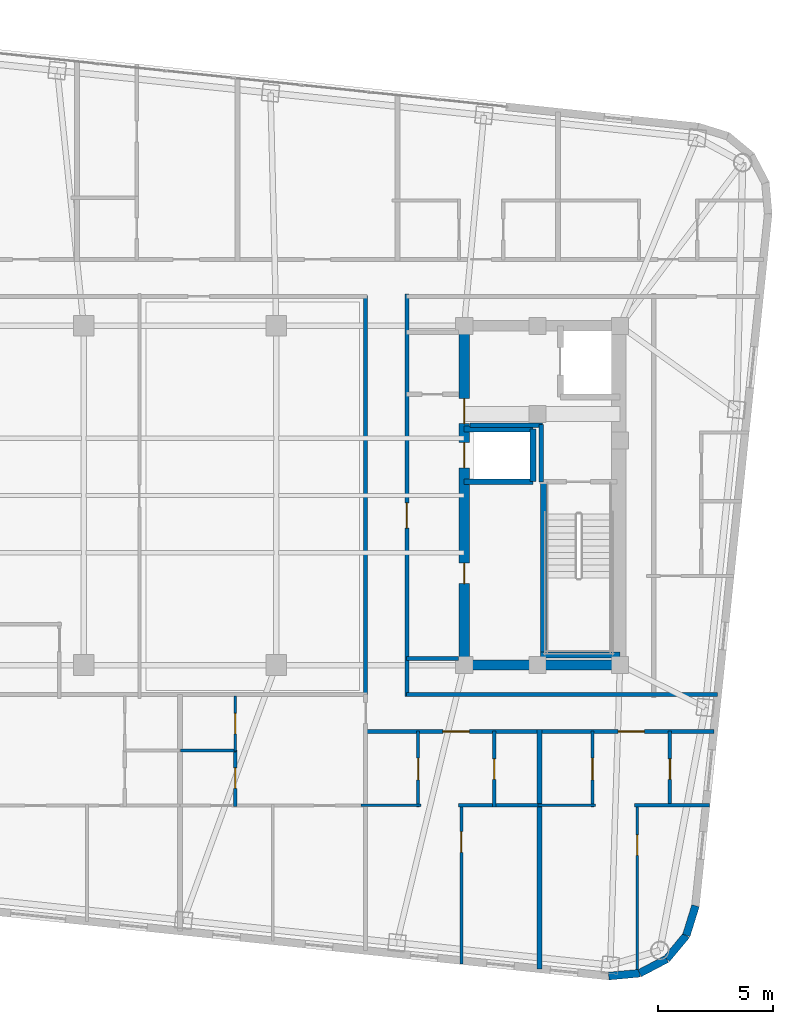
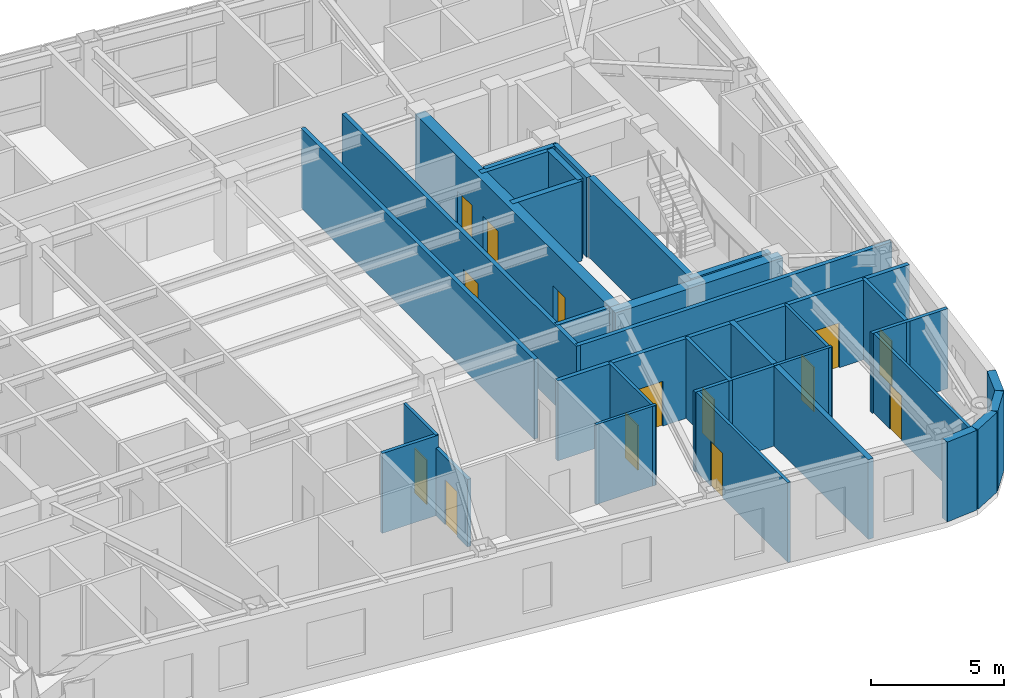
# One storey, part 11 of 16: 32 walls, 14 doors, 14 openings.
"""IFC4 building model written with IfcOpenShell, lengths in metres."""

from ifc_helpers import new_model, si_unit, direction, frame, frame_2d, origin, place, context, subcontext, project, spatial, rectangle, extrude, material, layer, layer_set, type_object, element, fill, save


model = new_model("IFC4")

# Units and contexts
model_context = context("Model", 3, precision=1e-05, world=origin(), true_north=direction((0.0, 1.0)))
body_context = subcontext(model_context, "Body", "Model", "MODEL_VIEW")
ifc_project = project(units=[si_unit("LENGTHUNIT", "METRE"), si_unit("AREAUNIT", "SQUARE_METRE"), si_unit("VOLUMEUNIT", "CUBIC_METRE"), si_unit("PLANEANGLEUNIT", "RADIAN"), si_unit("MASSUNIT", "GRAM", prefix="KILO")], contexts=[model_context])

# Site, building, storey
site_placement = place(None, origin())
site = spatial("IfcSite", under=ifc_project, at=site_placement, CompositionType="ELEMENT")
building_placement = place(site_placement, origin())
building = spatial("IfcBuilding", under=site, at=building_placement, Name="Voryun Gate Residences", CompositionType="ELEMENT")
storey_placement = place(building_placement, frame((0.0, 0.0, 267.800048828125)))
storey = spatial("IfcBuildingStorey", under=building, at=storey_placement, Name="L66", CompositionType="ELEMENT", Elevation=267.800048828125)

# Wall
ifc_material_1 = material(Name="Concrete C50/60", Category="concrete")
ifc_layer_1 = layer(ifc_material_1, 0.449951171875, Name="CW_CORE_450")
ifc_layer_set_1 = layer_set([ifc_layer_1], Name="Concrete C50/60")
wall_type_1 = type_object("IfcWallType", Name="CW_CORE_450", PredefinedType="SHEAR", material=ifc_layer_set_1)
wall_1_placement = place(storey_placement, frame((12.175048828125, -7.39990234375, 0.0), z_axis=(0.0, 0.0, 1.0), x_axis=(1.0, 0.0, 0.0)))
element("IfcWall", 1, at=wall_1_placement, inside=storey, type_object=wall_type_1, Name="L66 Core shear wall CW-L66-ES", PredefinedType="SHEAR", context=body_context, shape_type="SweptSolid", body=[
    extrude(rectangle(XDim=7.25, YDim=0.449951171875, at=frame_2d((3.625, 0.0))), origin(), (0.0, 0.0, 1.0), 3.64990234375),
])

# Wall, openings, doors
wall_2_placement = place(storey_placement, frame((12.39990234375, -7.39990234375, 0.0), z_axis=(0.0, 0.0, 1.0), x_axis=(0.0, 1.0, 0.0)))
wall_2 = element("IfcWall", 2, at=wall_2_placement, inside=storey, type_object=wall_type_1, Name="L66 Core shear wall CW-L66-EW", PredefinedType="SHEAR", context=body_context, shape_type="SweptSolid", body=[
    extrude(rectangle(XDim=14.7998046875, YDim=0.449951171875, at=frame_2d((7.39990234375, 0.0))), origin(), (0.0, 0.0, 1.0), 3.64990234375),
])
opening_1_placement = place(wall_2_placement, frame((8.60009765625, 0.0, 0.0)))
opening_1 = element("IfcOpeningElement", 3, at=opening_1_placement, cuts=wall_2, Name="Opening LD2", PredefinedType="OPENING", context=body_context, shape_type="SweptSolid", body=[
    extrude(rectangle(XDim=1.10009765625, YDim=2.050048828125, at=frame_2d((0.550048828125, 1.02490234375))), frame((0.0, 0.235107421875, 0.0), z_axis=(0.0, -1.0, 0.0), x_axis=(1.0, 0.0, 0.0)), (0.0, 0.0, 1.0), 0.469970703125),
])
opening_2_placement = place(wall_2_placement, frame((10.530029296875, 0.0, 0.0)))
opening_2 = element("IfcOpeningElement", 4, at=opening_2_placement, cuts=wall_2, Name="Opening D-FD60-2", PredefinedType="OPENING", context=body_context, shape_type="SweptSolid", body=[
    extrude(rectangle(XDim=1.10009765625, YDim=2.050048828125, at=frame_2d((0.550048828125, 1.02490234375))), frame((0.0, 0.235107421875, 0.0), z_axis=(0.0, -1.0, 0.0), x_axis=(1.0, 0.0, 0.0)), (0.0, 0.0, 1.0), 0.469970703125),
])
opening_3_placement = place(wall_2_placement, frame((3.550048828125, 0.0, 0.0)))
opening_3 = element("IfcOpeningElement", 5, at=opening_3_placement, cuts=wall_2, Name="Opening D-FD60-4", PredefinedType="OPENING", context=body_context, shape_type="SweptSolid", body=[
    extrude(rectangle(XDim=0.89990234375, YDim=2.050048828125, at=frame_2d((0.449951171875, 1.02490234375))), frame((0.0, 0.235107421875, 0.0), z_axis=(0.0, -1.0, 0.0), x_axis=(1.0, 0.0, 0.0)), (0.0, 0.0, 1.0), 0.469970703125),
])
ifc_material_2 = material(Name="Painted steel fire door", Category="steel")
door_type_1 = type_object("IfcDoorType", Name="DR_FD60_FFLOB_1100", OperationType="NOTDEFINED", PredefinedType="DOOR", material=ifc_material_2)
door_1_placement = place(opening_2_placement, origin())
door_1 = element("IfcDoor", 6, at=door_1_placement, inside=storey, type_object=door_type_1, Name="Door DR-L66-CLOB-E", OperationType="SINGLE_SWING_RIGHT", OverallHeight=2.050048828125, OverallWidth=1.10009765625, PredefinedType="DOOR", context=body_context, shape_type="SweptSolid", body=[
    extrude(rectangle(XDim=1.10009765625, YDim=2.050048828125, at=frame_2d((0.550048828125, 1.02490234375))), frame((0.0, 0.02490234375, 0.0), z_axis=(0.0, -1.0, 0.0), x_axis=(1.0, 0.0, 0.0)), (0.0, 0.0, 1.0), 0.050048828125),
])
fill(opening_2, door_1)
ifc_material_3 = material(Name="Painted steel fire door", Category="steel")
door_type_2 = type_object("IfcDoorType", Name="DR_FD60_RISER_900", OperationType="NOTDEFINED", PredefinedType="DOOR", material=ifc_material_3)
door_2_placement = place(opening_3_placement, origin())
door_2 = element("IfcDoor", 7, at=door_2_placement, inside=storey, type_object=door_type_2, Name="Door DR-L66-RECE-HI", OperationType="SINGLE_SWING_RIGHT", OverallHeight=2.050048828125, OverallWidth=0.89990234375, PredefinedType="DOOR", context=body_context, shape_type="SweptSolid", body=[
    extrude(rectangle(XDim=0.89990234375, YDim=2.050048828125, at=frame_2d((0.449951171875, 1.02490234375))), frame((0.0, 0.02490234375, 0.0), z_axis=(0.0, -1.0, 0.0), x_axis=(1.0, 0.0, 0.0)), (0.0, 0.0, 1.0), 0.050048828125),
])
fill(opening_3, door_2)
ifc_material_4 = material(Name="Anodised aluminium", Category="aluminium")
door_type_3 = type_object("IfcDoorType", Name="DR_LD_PASS_1100", OperationType="NOTDEFINED", PredefinedType="DOOR", material=ifc_material_4)
door_3_placement = place(opening_1_placement, origin())
door_3 = element("IfcDoor", 8, at=door_3_placement, inside=storey, type_object=door_type_3, Name="Lift EL-P8 sliding landing door L66", OperationType="SLIDING_TO_LEFT", OverallHeight=2.050048828125, OverallWidth=1.10009765625, PredefinedType="DOOR", context=body_context, shape_type="SweptSolid", body=[
    extrude(rectangle(XDim=1.10009765625, YDim=2.050048828125, at=frame_2d((0.550048828125, 1.02490234375))), frame((0.0, 0.02490234375, 0.0), z_axis=(0.0, -1.0, 0.0), x_axis=(1.0, 0.0, 0.0)), (0.0, 0.0, 1.0), 0.050048828125),
])
fill(opening_1, door_3)

# Wall
ifc_material_5 = material(Name="Gypsum acoustic fireboard")
ifc_layer_2 = layer(ifc_material_5, 0.179931640625, Name="W_CORR_RATED_180")
ifc_layer_set_2 = layer_set([ifc_layer_2], Name="Gypsum acoustic fireboard")
wall_type_2 = type_object("IfcWallType", Name="W_CORR_RATED_180", PredefinedType="PARTITIONING", material=ifc_layer_set_2)
wall_3_placement = place(storey_placement, frame((9.8798828125, -7.1201171875, 0.0), z_axis=(0.0, 0.0, 1.0), x_axis=(1.0, 0.0, 0.0)))
element("IfcWall", 9, at=wall_3_placement, inside=storey, type_object=wall_type_2, Name="Partition wall WP-L66-PLBS-E", PredefinedType="PARTITIONING", context=body_context, shape_type="SweptSolid", body=[
    extrude(rectangle(XDim=2.27001953125, YDim=0.179931640625, at=frame_2d((1.135009765625, 0.0))), origin(), (0.0, 0.0, 1.0), 3.64990234375),
])

# Wall, opening, door
wall_4_placement = place(storey_placement, frame((9.89990234375, -8.780029296875, 0.0), z_axis=(0.0, 0.0, 1.0), x_axis=(0.0, 1.0, 0.0)))
wall_4 = element("IfcWall", 10, at=wall_4_placement, inside=storey, type_object=wall_type_2, Name="Partition wall WP-L66-PLBE-FULL", PredefinedType="PARTITIONING", context=body_context, shape_type="SweptSolid", body=[
    extrude(rectangle(XDim=17.56005859375, YDim=0.179931640625, at=frame_2d((8.780029296875, 0.0))), origin(), (0.0, 0.0, 1.0), 3.64990234375),
])
opening_4_placement = place(wall_4_placement, frame((7.35205078125, 0.0, 0.0)))
opening_4 = element("IfcOpeningElement", 11, at=opening_4_placement, cuts=wall_4, Name="Opening D-FD60-2", PredefinedType="OPENING", context=body_context, shape_type="SweptSolid", body=[
    extrude(rectangle(XDim=1.10009765625, YDim=2.050048828125, at=frame_2d((0.550048828125, 1.02490234375))), frame((0.0, 0.099853515625, 0.0), z_axis=(0.0, -1.0, 0.0), x_axis=(1.0, 0.0, 0.0)), (0.0, 0.0, 1.0), 0.199951171875),
])
door_4_placement = place(opening_4_placement, origin())
door_4 = element("IfcDoor", 12, at=door_4_placement, inside=storey, type_object=door_type_1, Name="Door DR-L66-PLBE-COR", OperationType="SINGLE_SWING_RIGHT", OverallHeight=2.050048828125, OverallWidth=1.10009765625, PredefinedType="DOOR", context=body_context, shape_type="SweptSolid", body=[
    extrude(rectangle(XDim=1.10009765625, YDim=2.050048828125, at=frame_2d((0.550048828125, 1.02490234375))), frame((0.0, 0.02490234375, 0.0), z_axis=(0.0, -1.0, 0.0), x_axis=(1.0, 0.0, 0.0)), (0.0, 0.0, 1.0), 0.050048828125),
])
fill(opening_4, door_4)

# Walls
wall_5_placement = place(storey_placement, frame((9.8798828125, -8.68994140625, 0.0), z_axis=(0.0, 0.0, 1.0), x_axis=(1.0, 0.0, 0.0)))
element("IfcWall", 13, at=wall_5_placement, inside=storey, type_object=wall_type_2, Name="Partition wall WP-L66-CWING-ES", PredefinedType="PARTITIONING", context=body_context, shape_type="SweptSolid", body=[
    extrude(rectangle(XDim=13.58447265625, YDim=0.179931640625, at=frame_2d((6.792236328125, 0.0))), origin(), (0.0, 0.0, 1.0), 3.64990234375),
])
wall_6_placement = place(storey_placement, frame((8.10009765625, -8.72998046875, 0.0), z_axis=(0.0, 0.0, 1.0), x_axis=(0.0, 1.0, 0.0)))
element("IfcWall", 14, at=wall_6_placement, inside=storey, type_object=wall_type_2, Name="Partition wall WP-L66-Z3E", PredefinedType="PARTITIONING", context=body_context, shape_type="SweptSolid", body=[
    extrude(rectangle(XDim=17.4599609375, YDim=0.179931640625, at=frame_2d((8.72998046875, 0.0))), origin(), (0.0, 0.0, 1.0), 3.64990234375),
])

# Wall, openings, doors
wall_7_placement = place(storey_placement, frame((8.080078125, -10.300048828125, 0.0), z_axis=(0.0, 0.0, 1.0), x_axis=(1.0, 0.0, 0.0)))
wall_7 = element("IfcWall", 15, at=wall_7_placement, inside=storey, type_object=wall_type_2, Name="Partition wall WP-L66-SCORR-E", PredefinedType="PARTITIONING", context=body_context, shape_type="SweptSolid", body=[
    extrude(rectangle(XDim=15.215087890625, YDim=0.179931640625, at=frame_2d((7.607421875, 0.0))), origin(), (0.0, 0.0, 1.0), 3.64990234375),
])
opening_5_placement = place(wall_7_placement, frame((3.39453125, 0.0, 0.0)))
opening_5 = element("IfcOpeningElement", 16, at=opening_5_placement, cuts=wall_7, Name="Opening D-UNIT-1", PredefinedType="OPENING", context=body_context, shape_type="SweptSolid", body=[
    extrude(rectangle(XDim=1.14990234375, YDim=2.050048828125, at=frame_2d((0.574951171875, 1.02490234375))), frame((0.0, 0.099853515625, 0.0), z_axis=(0.0, -1.0, 0.0), x_axis=(1.0, 0.0, 0.0)), (0.0, 0.0, 1.0), 0.199951171875),
])
opening_6_placement = place(wall_7_placement, frame((11.03564453125, 0.0, 0.0)))
opening_6 = element("IfcOpeningElement", 17, at=opening_6_placement, cuts=wall_7, Name="Opening D-UNIT-1", PredefinedType="OPENING", context=body_context, shape_type="SweptSolid", body=[
    extrude(rectangle(XDim=1.14990234375, YDim=2.050048828125, at=frame_2d((0.574951171875, 1.02490234375))), frame((0.0, 0.099853515625, 0.0), z_axis=(0.0, -1.0, 0.0), x_axis=(1.0, 0.0, 0.0)), (0.0, 0.0, 1.0), 0.199951171875),
])
ifc_material_6 = material(Name="Armoured timber-clad fire door", Category="wood")
door_type_4 = type_object("IfcDoorType", Name="DR_UNIT_ENTRY_1150", OperationType="NOTDEFINED", PredefinedType="DOOR", material=ifc_material_6)
door_5_placement = place(opening_5_placement, origin())
door_5 = element("IfcDoor", 18, at=door_5_placement, inside=storey, type_object=door_type_4, Name="Door DR-L66-SENT-6", OperationType="SINGLE_SWING_LEFT", OverallHeight=2.050048828125, OverallWidth=1.14990234375, PredefinedType="DOOR", context=body_context, shape_type="SweptSolid", body=[
    extrude(rectangle(XDim=1.14990234375, YDim=2.050048828125, at=frame_2d((0.574951171875, 1.02490234375))), frame((0.0, 0.02490234375, 0.0), z_axis=(0.0, -1.0, 0.0), x_axis=(1.0, 0.0, 0.0)), (0.0, 0.0, 1.0), 0.050048828125),
])
fill(opening_5, door_5)
door_6_placement = place(opening_6_placement, origin())
door_6 = element("IfcDoor", 19, at=door_6_placement, inside=storey, type_object=door_type_4, Name="Door DR-L66-SENT-7", OperationType="SINGLE_SWING_RIGHT", OverallHeight=2.050048828125, OverallWidth=1.14990234375, PredefinedType="DOOR", context=body_context, shape_type="SweptSolid", body=[
    extrude(rectangle(XDim=1.14990234375, YDim=2.050048828125, at=frame_2d((0.574951171875, 1.02490234375))), frame((0.0, 0.02490234375, 0.0), z_axis=(0.0, -1.0, 0.0), x_axis=(1.0, 0.0, 0.0)), (0.0, 0.0, 1.0), 0.050048828125),
])
fill(opening_6, door_6)

# Walls
ifc_material_7 = material(Name="Charcoal terracotta masonry", Category="masonry")
ifc_layer_3 = layer(ifc_material_7, 0.340087890625, Name="W_EXT_TERRACOTTA_340")
ifc_layer_set_3 = layer_set([ifc_layer_3], Name="Charcoal terracotta masonry")
wall_type_3 = type_object("IfcWallType", Name="W_EXT_TERRACOTTA_340", PredefinedType="ELEMENTEDWALL", material=ifc_layer_set_3)
wall_8_placement = place(storey_placement, frame((22.495849609375, -17.904541015625, 0.0), z_axis=(0.0, 0.0, 1.0), x_axis=(-0.296416228123, -0.955058856671, 0.0)))
element("IfcWall", 20, at=wall_8_placement, inside=storey, type_object=wall_type_3, Name="Exterior wall WEXT-L66-17", PredefinedType="ELEMENTEDWALL", context=body_context, shape_type="SweptSolid", body=[
    extrude(rectangle(XDim=1.35400390625, YDim=0.340087890625, at=frame_2d((0.677001953125, 0.0))), origin(), (0.0, 0.0, 1.0), 3.64990234375),
])
wall_9_placement = place(storey_placement, frame((22.094482421875, -19.19775390625, 0.0), z_axis=(0.0, 0.0, 1.0), x_axis=(-0.639501603217, -0.768789762863, 0.0)))
element("IfcWall", 21, at=wall_9_placement, inside=storey, type_object=wall_type_3, Name="Exterior wall WEXT-L66-18", PredefinedType="ELEMENTEDWALL", context=body_context, shape_type="SweptSolid", body=[
    extrude(rectangle(XDim=1.3369140625, YDim=0.340087890625, at=frame_2d((0.66845703125, 0.0))), origin(), (0.0, 0.0, 1.0), 3.64990234375),
])
wall_10_placement = place(storey_placement, frame((21.239501953125, -20.2255859375, 0.0), z_axis=(0.0, 0.0, 1.0), x_axis=(-0.884922182678, -0.465738908193, 0.0)))
element("IfcWall", 22, at=wall_10_placement, inside=storey, type_object=wall_type_3, Name="Exterior wall WEXT-L66-19", PredefinedType="ELEMENTEDWALL", context=body_context, shape_type="SweptSolid", body=[
    extrude(rectangle(XDim=1.337158203125, YDim=0.340087890625, at=frame_2d((0.66845703125, 0.0))), origin(), (0.0, 0.0, 1.0), 3.64990234375),
])
wall_11_placement = place(storey_placement, frame((20.05615234375, -20.848388671875, 0.0), z_axis=(0.0, 0.0, 1.0), x_axis=(-0.995813013343, -0.091413579172, 0.0)))
element("IfcWall", 23, at=wall_11_placement, inside=storey, type_object=wall_type_3, Name="Exterior wall WEXT-L66-20", PredefinedType="ELEMENTEDWALL", context=body_context, shape_type="SweptSolid", body=[
    extrude(rectangle(XDim=1.35400390625, YDim=0.340087890625, at=frame_2d((0.677001953125, 0.0))), origin(), (0.0, 0.0, 1.0), 3.64990234375),
])
ifc_material_8 = material(Name="Concrete C40/50", Category="concrete")
ifc_layer_4 = layer(ifc_material_8, 0.199951171875, Name="W_FF_LOBBY_200")
ifc_layer_set_4 = layer_set([ifc_layer_4], Name="Concrete C40/50")
wall_type_4 = type_object("IfcWallType", Name="W_FF_LOBBY_200", PredefinedType="PARTITIONING", material=ifc_layer_set_4)
wall_12_placement = place(storey_placement, frame((15.760009765625, 0.580078125, 0.0), z_axis=(0.0, 0.0, 1.0), x_axis=(0.0, 1.0, 0.0)))
element("IfcWall", 24, at=wall_12_placement, inside=storey, type_object=wall_type_4, Name="Partition wall WP-L66-FFP0-E", PredefinedType="PARTITIONING", context=body_context, shape_type="SweptSolid", body=[
    extrude(rectangle(XDim=2.52001953125, YDim=0.199951171875, at=frame_2d((1.260009765625, 0.0))), origin(), (0.0, 0.0, 1.0), 3.64990234375),
])
wall_13_placement = place(storey_placement, frame((12.659912109375, 3.06005859375, 0.0), z_axis=(0.0, 0.0, 1.0), x_axis=(1.0, 0.0, 0.0)))
element("IfcWall", 25, at=wall_13_placement, inside=storey, type_object=wall_type_4, Name="Partition wall WP-L66-FFPS-E", PredefinedType="PARTITIONING", context=body_context, shape_type="SweptSolid", body=[
    extrude(rectangle(XDim=3.16015625, YDim=0.199951171875, at=frame_2d((1.580078125, 0.0))), origin(), (0.0, 0.0, 1.0), 3.64990234375),
])
ifc_material_9 = material(Name="Concrete C40/50", Category="concrete")
ifc_layer_5 = layer(ifc_material_9, 0.219970703125, Name="W_PARTY_ACOUSTIC_220")
ifc_layer_set_5 = layer_set([ifc_layer_5], Name="Concrete C40/50")
wall_type_5 = type_object("IfcWallType", Name="W_PARTY_ACOUSTIC_220", PredefinedType="PARTITIONING", material=ifc_layer_set_5)
wall_14_placement = place(storey_placement, frame((15.68994140625, -20.655029296875, 0.0), z_axis=(0.0, 0.0, 1.0), x_axis=(0.0, 1.0, 0.0)))
element("IfcWall", 26, at=wall_14_placement, inside=storey, type_object=wall_type_5, Name="Partition wall WP-L66-SPTY-6", PredefinedType="PARTITIONING", context=body_context, shape_type="SweptSolid", body=[
    extrude(rectangle(XDim=10.43505859375, YDim=0.219970703125, at=frame_2d((5.217529296875, 0.0))), origin(), (0.0, 0.0, 1.0), 3.64990234375),
])
ifc_material_10 = material(Name="Concrete C50/60", Category="concrete")
ifc_layer_6 = layer(ifc_material_10, 0.25, Name="W_SHAFT_RC250")
ifc_layer_set_6 = layer_set([ifc_layer_6], Name="Concrete C50/60")
wall_type_6 = type_object("IfcWallType", Name="W_SHAFT_RC250", PredefinedType="SOLIDWALL", material=ifc_layer_set_6)
wall_15_placement = place(storey_placement, frame((15.860107421875, -7.0849609375, 0.0), z_axis=(0.0, 0.0, 1.0), x_axis=(0.0, 1.0, 0.0)))
element("IfcWall", 27, at=wall_15_placement, inside=storey, type_object=wall_type_6, Name="L66 Stair shaft structural wall E-STL", PredefinedType="SOLIDWALL", context=body_context, shape_type="SweptSolid", body=[
    extrude(rectangle(XDim=7.68505859375, YDim=0.25, at=frame_2d((3.842529296875, 0.0))), origin(), (0.0, 0.0, 1.0), 3.64990234375),
])
wall_16_placement = place(storey_placement, frame((15.739990234375, -6.965087890625, 0.0), z_axis=(0.0, 0.0, 1.0), x_axis=(1.0, 0.0, 0.0)))
element("IfcWall", 28, at=wall_16_placement, inside=storey, type_object=wall_type_6, Name="L66 Stair shaft structural wall E-STS", PredefinedType="SOLIDWALL", context=body_context, shape_type="SweptSolid", body=[
    extrude(rectangle(XDim=3.4599609375, YDim=0.25, at=frame_2d((1.72998046875, 0.0))), origin(), (0.0, 0.0, 1.0), 3.64990234375),
])
wall_17_placement = place(storey_placement, frame((12.39990234375, 0.60009765625, 0.0), z_axis=(0.0, 0.0, 1.0), x_axis=(1.0, 0.0, 0.0)))
element("IfcWall", 29, at=wall_17_placement, inside=storey, type_object=wall_type_6, Name="Lift shaft wall WSH-L66-EL-P8-S", PredefinedType="SOLIDWALL", context=body_context, shape_type="SweptSolid", body=[
    extrude(rectangle(XDim=3.0, YDim=0.25, at=frame_2d((1.5, 0.0))), origin(), (0.0, 0.0, 1.0), 3.64990234375),
])
wall_18_placement = place(storey_placement, frame((15.39990234375, 0.60009765625, 0.0), z_axis=(0.0, 0.0, 1.0), x_axis=(0.0, 1.0, 0.0)))
element("IfcWall", 30, at=wall_18_placement, inside=storey, type_object=wall_type_6, Name="Lift shaft wall WSH-L66-EL-P8-E", PredefinedType="SOLIDWALL", context=body_context, shape_type="SweptSolid", body=[
    extrude(rectangle(XDim=2.2998046875, YDim=0.25, at=frame_2d((1.14990234375, 0.0))), origin(), (0.0, 0.0, 1.0), 3.64990234375),
])
wall_19_placement = place(storey_placement, frame((15.39990234375, 2.89990234375, 0.0), z_axis=(0.0, 0.0, 1.0), x_axis=(-1.0, 0.0, 0.0)))
element("IfcWall", 31, at=wall_19_placement, inside=storey, type_object=wall_type_6, Name="Lift shaft wall WSH-L66-EL-P8-N", PredefinedType="SOLIDWALL", context=body_context, shape_type="SweptSolid", body=[
    extrude(rectangle(XDim=3.0, YDim=0.25, at=frame_2d((1.5, 0.0))), origin(), (0.0, 0.0, 1.0), 3.64990234375),
])

# Wall, opening, door
ifc_material_11 = material(Name="Gypsum acoustic partition")
ifc_layer_7 = layer(ifc_material_11, 0.125, Name="W_UNIT_PART_125")
ifc_layer_set_7 = layer_set([ifc_layer_7], Name="Gypsum acoustic partition")
wall_type_7 = type_object("IfcWallType", Name="W_UNIT_PART_125", PredefinedType="PARTITIONING", material=ifc_layer_set_7)
wall_20_placement = place(storey_placement, frame((12.280029296875, -20.447509765625, 0.0), z_axis=(0.0, 0.0, 1.0), x_axis=(0.0, 1.0, 0.0)))
wall_20 = element("IfcWall", 32, at=wall_20_placement, inside=storey, type_object=wall_type_7, Name="Partition wall WP-L66-S6-OVR", PredefinedType="PARTITIONING", context=body_context, shape_type="SweptSolid", body=[
    extrude(rectangle(XDim=7.007568359375, YDim=0.125, at=frame_2d((3.50390625, 0.0))), origin(), (0.0, 0.0, 1.0), 3.64990234375),
])
opening_7_placement = place(wall_20_placement, frame((4.87548828125, 0.0, 0.0)))
opening_7 = element("IfcOpeningElement", 33, at=opening_7_placement, cuts=wall_20, Name="Opening D-INT-2", PredefinedType="OPENING", context=body_context, shape_type="SweptSolid", body=[
    extrude(rectangle(XDim=0.89990234375, YDim=2.050048828125, at=frame_2d((0.449951171875, 1.02490234375))), frame((0.0, 0.072509765625, 0.0), z_axis=(0.0, -1.0, 0.0), x_axis=(1.0, 0.0, 0.0)), (0.0, 0.0, 1.0), 0.14501953125),
])
ifc_material_12 = material(Name="Architectural oak veneer")
door_type_5 = type_object("IfcDoorType", Name="DR_INT_BATH_900", OperationType="NOTDEFINED", PredefinedType="DOOR", material=ifc_material_12)
door_7_placement = place(opening_7_placement, origin())
door_7 = element("IfcDoor", 34, at=door_7_placement, inside=storey, type_object=door_type_5, Name="Door DR-L66-S6-DMB", OperationType="SINGLE_SWING_RIGHT", OverallHeight=2.050048828125, OverallWidth=0.89990234375, PredefinedType="DOOR", context=body_context, shape_type="SweptSolid", body=[
    extrude(rectangle(XDim=0.89990234375, YDim=2.050048828125, at=frame_2d((0.449951171875, 1.02490234375))), frame((0.0, 0.02490234375, 0.0), z_axis=(0.0, -1.0, 0.0), x_axis=(1.0, 0.0, 0.0)), (0.0, 0.0, 1.0), 0.050048828125),
])
fill(opening_7, door_7)

wall_21_placement = place(storey_placement, frame((10.389892578125, -13.60009765625, 0.0), z_axis=(0.0, 0.0, 1.0), x_axis=(0.0, 1.0, 0.0)))
wall_21 = element("IfcWall", 35, at=wall_21_placement, inside=storey, type_object=wall_type_7, Name="Partition wall WP-L66-S6-IVK", PredefinedType="PARTITIONING", context=body_context, shape_type="SweptSolid", body=[
    extrude(rectangle(XDim=3.320068359375, YDim=0.125, at=frame_2d((1.66015625, 0.0))), origin(), (0.0, 0.0, 1.0), 3.64990234375),
])
opening_8_placement = place(wall_21_placement, frame((1.18505859375, 0.0, 0.0)))
opening_8 = element("IfcOpeningElement", 36, at=opening_8_placement, cuts=wall_21, Name="Opening D-INT-1", PredefinedType="OPENING", context=body_context, shape_type="SweptSolid", body=[
    extrude(rectangle(XDim=0.949951171875, YDim=2.050048828125, at=frame_2d((0.47509765625, 1.02490234375))), frame((0.0, 0.072509765625, 0.0), z_axis=(0.0, -1.0, 0.0), x_axis=(1.0, 0.0, 0.0)), (0.0, 0.0, 1.0), 0.14501953125),
])
ifc_material_13 = material(Name="Architectural oak veneer")
door_type_6 = type_object("IfcDoorType", Name="DR_INT_ROOM_950", OperationType="NOTDEFINED", PredefinedType="DOOR", material=ifc_material_13)
door_8_placement = place(opening_8_placement, origin())
door_8 = element("IfcDoor", 37, at=door_8_placement, inside=storey, type_object=door_type_6, Name="Door DR-L66-S6-DK", OperationType="SINGLE_SWING_LEFT", OverallHeight=2.050048828125, OverallWidth=0.949951171875, PredefinedType="DOOR", context=body_context, shape_type="SweptSolid", body=[
    extrude(rectangle(XDim=0.949951171875, YDim=2.050048828125, at=frame_2d((0.47509765625, 1.02490234375))), frame((0.0, 0.02490234375, 0.0), z_axis=(0.0, -1.0, 0.0), x_axis=(1.0, 0.0, 0.0)), (0.0, 0.0, 1.0), 0.050048828125),
])
fill(opening_8, door_8)

# Wall
wall_22_placement = place(storey_placement, frame((7.887451171875, -13.52001953125, 0.0), z_axis=(0.0, 0.0, 1.0), x_axis=(1.0, 0.0, 0.0)))
element("IfcWall", 38, at=wall_22_placement, inside=storey, type_object=wall_type_7, Name="Partition wall WP-L66-S6-HZK", PredefinedType="PARTITIONING", context=body_context, shape_type="SweptSolid", body=[
    extrude(rectangle(XDim=2.62255859375, YDim=0.125, at=frame_2d((1.311279296875, 0.0))), origin(), (0.0, 0.0, 1.0), 3.64990234375),
])

# Wall, opening, door
wall_23_placement = place(storey_placement, frame((19.949951171875, -21.008544921875, 0.0), z_axis=(0.0, 0.0, 1.0), x_axis=(0.0, 1.0, 0.0)))
wall_23 = element("IfcWall", 39, at=wall_23_placement, inside=storey, type_object=wall_type_7, Name="Partition wall WP-L66-S7-OVR", PredefinedType="PARTITIONING", context=body_context, shape_type="SweptSolid", body=[
    extrude(rectangle(XDim=7.568603515625, YDim=0.125, at=frame_2d((3.7841796875, 0.0))), origin(), (0.0, 0.0, 1.0), 3.64990234375),
])
opening_9_placement = place(wall_23_placement, frame((5.302001953125, 0.0, 0.0)))
opening_9 = element("IfcOpeningElement", 40, at=opening_9_placement, cuts=wall_23, Name="Opening D-INT-2", PredefinedType="OPENING", context=body_context, shape_type="SweptSolid", body=[
    extrude(rectangle(XDim=0.89990234375, YDim=2.050048828125, at=frame_2d((0.449951171875, 1.02490234375))), frame((0.0, 0.072509765625, 0.0), z_axis=(0.0, -1.0, 0.0), x_axis=(1.0, 0.0, 0.0)), (0.0, 0.0, 1.0), 0.14501953125),
])
door_9_placement = place(opening_9_placement, origin())
door_9 = element("IfcDoor", 41, at=door_9_placement, inside=storey, type_object=door_type_5, Name="Door DR-L66-S7-DMB", OperationType="SINGLE_SWING_RIGHT", OverallHeight=2.050048828125, OverallWidth=0.89990234375, PredefinedType="DOOR", context=body_context, shape_type="SweptSolid", body=[
    extrude(rectangle(XDim=0.89990234375, YDim=2.050048828125, at=frame_2d((0.449951171875, 1.02490234375))), frame((0.0, 0.02490234375, 0.0), z_axis=(0.0, -1.0, 0.0), x_axis=(1.0, 0.0, 0.0)), (0.0, 0.0, 1.0), 0.050048828125),
])
fill(opening_9, door_9)

wall_24_placement = place(storey_placement, frame((18.0, -13.60009765625, 0.0), z_axis=(0.0, 0.0, 1.0), x_axis=(0.0, 1.0, 0.0)))
wall_24 = element("IfcWall", 42, at=wall_24_placement, inside=storey, type_object=wall_type_7, Name="Partition wall WP-L66-S7-IVK", PredefinedType="PARTITIONING", context=body_context, shape_type="SweptSolid", body=[
    extrude(rectangle(XDim=3.320068359375, YDim=0.125, at=frame_2d((1.66015625, 0.0))), origin(), (0.0, 0.0, 1.0), 3.64990234375),
])
opening_10_placement = place(wall_24_placement, frame((1.18505859375, 0.0, 0.0)))
opening_10 = element("IfcOpeningElement", 43, at=opening_10_placement, cuts=wall_24, Name="Opening D-INT-1", PredefinedType="OPENING", context=body_context, shape_type="SweptSolid", body=[
    extrude(rectangle(XDim=0.949951171875, YDim=2.050048828125, at=frame_2d((0.47509765625, 1.02490234375))), frame((0.0, 0.072509765625, 0.0), z_axis=(0.0, -1.0, 0.0), x_axis=(1.0, 0.0, 0.0)), (0.0, 0.0, 1.0), 0.14501953125),
])
door_10_placement = place(opening_10_placement, origin())
door_10 = element("IfcDoor", 44, at=door_10_placement, inside=storey, type_object=door_type_6, Name="Door DR-L66-S7-DK", OperationType="SINGLE_SWING_LEFT", OverallHeight=2.050048828125, OverallWidth=0.949951171875, PredefinedType="DOOR", context=body_context, shape_type="SweptSolid", body=[
    extrude(rectangle(XDim=0.949951171875, YDim=2.050048828125, at=frame_2d((0.47509765625, 1.02490234375))), frame((0.0, 0.02490234375, 0.0), z_axis=(0.0, -1.0, 0.0), x_axis=(1.0, 0.0, 0.0)), (0.0, 0.0, 1.0), 0.050048828125),
])
fill(opening_10, door_10)

# Wall
wall_25_placement = place(storey_placement, frame((15.614990234375, -13.52001953125, 0.0), z_axis=(0.0, 0.0, 1.0), x_axis=(1.0, 0.0, 0.0)))
element("IfcWall", 45, at=wall_25_placement, inside=storey, type_object=wall_type_7, Name="Partition wall WP-L66-S7-HZK", PredefinedType="PARTITIONING", context=body_context, shape_type="SweptSolid", body=[
    extrude(rectangle(XDim=2.505126953125, YDim=0.125, at=frame_2d((1.25244140625, 0.0))), origin(), (0.0, 0.0, 1.0), 3.64990234375),
])

# Wall, opening, door
wall_26_placement = place(storey_placement, frame((2.409912109375, -11.159912109375, 0.0), z_axis=(0.0, 0.0, 1.0), x_axis=(0.0, 1.0, 0.0)))
wall_26 = element("IfcWall", 46, at=wall_26_placement, inside=storey, type_object=wall_type_7, Name="Partition wall WP-L66-SC2-VK1", PredefinedType="PARTITIONING", context=body_context, shape_type="SweptSolid", body=[
    extrude(rectangle(XDim=2.409912109375, YDim=0.125, at=frame_2d((1.205078125, 0.0))), origin(), (0.0, 0.0, 1.0), 3.64990234375),
])
opening_11_placement = place(wall_26_placement, frame((0.7548828125, 0.0, 0.0)))
opening_11 = element("IfcOpeningElement", 47, at=opening_11_placement, cuts=wall_26, Name="Opening D-INT-2", PredefinedType="OPENING", context=body_context, shape_type="SweptSolid", body=[
    extrude(rectangle(XDim=0.89990234375, YDim=2.050048828125, at=frame_2d((0.449951171875, 1.02490234375))), frame((0.0, 0.072509765625, 0.0), z_axis=(0.0, -1.0, 0.0), x_axis=(1.0, 0.0, 0.0)), (0.0, 0.0, 1.0), 0.14501953125),
])
door_11_placement = place(opening_11_placement, origin())
door_11 = element("IfcDoor", 48, at=door_11_placement, inside=storey, type_object=door_type_5, Name="Door DR-L66-SC2-DK", OperationType="SINGLE_SWING_LEFT", OverallHeight=2.050048828125, OverallWidth=0.89990234375, PredefinedType="DOOR", context=body_context, shape_type="SweptSolid", body=[
    extrude(rectangle(XDim=0.89990234375, YDim=2.050048828125, at=frame_2d((0.449951171875, 1.02490234375))), frame((0.0, 0.02490234375, 0.0), z_axis=(0.0, -1.0, 0.0), x_axis=(1.0, 0.0, 0.0)), (0.0, 0.0, 1.0), 0.050048828125),
])
fill(opening_11, door_11)

# Wall
ifc_material_14 = material(Name="Gypsum moisture-resistant partition")
ifc_layer_8 = layer(ifc_material_14, 0.14990234375, Name="W_WET_PLUMB_150")
ifc_layer_set_8 = layer_set([ifc_layer_8], Name="Gypsum moisture-resistant partition")
wall_type_8 = type_object("IfcWallType", Name="W_WET_PLUMB_150", PredefinedType="PLUMBINGWALL", material=ifc_layer_set_8)
wall_27_placement = place(storey_placement, frame((12.159912109375, -13.52001953125, 0.0), z_axis=(0.0, 0.0, 1.0), x_axis=(1.0, 0.0, 0.0)))
element("IfcWall", 49, at=wall_27_placement, inside=storey, type_object=wall_type_8, Name="Partition wall WP-L66-S6-HZB", PredefinedType="PLUMBINGWALL", context=body_context, shape_type="SweptSolid", body=[
    extrude(rectangle(XDim=3.60498046875, YDim=0.14990234375, at=frame_2d((1.802490234375, 0.0))), origin(), (0.0, 0.0, 1.0), 3.64990234375),
])

# Wall, opening, door
wall_28_placement = place(storey_placement, frame((13.7099609375, -13.60009765625, 0.0), z_axis=(0.0, 0.0, 1.0), x_axis=(0.0, 1.0, 0.0)))
wall_28 = element("IfcWall", 50, at=wall_28_placement, inside=storey, type_object=wall_type_8, Name="Partition wall WP-L66-S6-IVB", PredefinedType="PLUMBINGWALL", context=body_context, shape_type="SweptSolid", body=[
    extrude(rectangle(XDim=3.320068359375, YDim=0.14990234375, at=frame_2d((1.66015625, 0.0))), origin(), (0.0, 0.0, 1.0), 3.64990234375),
])
opening_12_placement = place(wall_28_placement, frame((1.2099609375, 0.0, 0.0)))
opening_12 = element("IfcOpeningElement", 51, at=opening_12_placement, cuts=wall_28, Name="Opening D-INT-2", PredefinedType="OPENING", context=body_context, shape_type="SweptSolid", body=[
    extrude(rectangle(XDim=0.89990234375, YDim=2.050048828125, at=frame_2d((0.449951171875, 1.02490234375))), frame((0.0, 0.0849609375, 0.0), z_axis=(0.0, -1.0, 0.0), x_axis=(1.0, 0.0, 0.0)), (0.0, 0.0, 1.0), 0.169921875),
])
door_12_placement = place(opening_12_placement, origin())
door_12 = element("IfcDoor", 52, at=door_12_placement, inside=storey, type_object=door_type_5, Name="Door DR-L66-S6-DB", OperationType="SINGLE_SWING_RIGHT", OverallHeight=2.050048828125, OverallWidth=0.89990234375, PredefinedType="DOOR", context=body_context, shape_type="SweptSolid", body=[
    extrude(rectangle(XDim=0.89990234375, YDim=2.050048828125, at=frame_2d((0.449951171875, 1.02490234375))), frame((0.0, 0.02490234375, 0.0), z_axis=(0.0, -1.0, 0.0), x_axis=(1.0, 0.0, 0.0)), (0.0, 0.0, 1.0), 0.050048828125),
])
fill(opening_12, door_12)

# Wall
wall_29_placement = place(storey_placement, frame((19.830078125, -13.52001953125, 0.0), z_axis=(0.0, 0.0, 1.0), x_axis=(1.0, 0.0, 0.0)))
element("IfcWall", 53, at=wall_29_placement, inside=storey, type_object=wall_type_8, Name="Partition wall WP-L66-S7-HZB", PredefinedType="PLUMBINGWALL", context=body_context, shape_type="SweptSolid", body=[
    extrude(rectangle(XDim=3.277587890625, YDim=0.14990234375, at=frame_2d((1.638671875, 0.0))), origin(), (0.0, 0.0, 1.0), 3.64990234375),
])

# Wall, opening, door
wall_30_placement = place(storey_placement, frame((21.3798828125, -13.60009765625, 0.0), z_axis=(0.0, 0.0, 1.0), x_axis=(0.0, 1.0, 0.0)))
wall_30 = element("IfcWall", 54, at=wall_30_placement, inside=storey, type_object=wall_type_8, Name="Partition wall WP-L66-S7-IVB", PredefinedType="PLUMBINGWALL", context=body_context, shape_type="SweptSolid", body=[
    extrude(rectangle(XDim=3.320068359375, YDim=0.14990234375, at=frame_2d((1.66015625, 0.0))), origin(), (0.0, 0.0, 1.0), 3.64990234375),
])
opening_13_placement = place(wall_30_placement, frame((1.2099609375, 0.0, 0.0)))
opening_13 = element("IfcOpeningElement", 55, at=opening_13_placement, cuts=wall_30, Name="Opening D-INT-2", PredefinedType="OPENING", context=body_context, shape_type="SweptSolid", body=[
    extrude(rectangle(XDim=0.89990234375, YDim=2.050048828125, at=frame_2d((0.449951171875, 1.02490234375))), frame((0.0, 0.0849609375, 0.0), z_axis=(0.0, -1.0, 0.0), x_axis=(1.0, 0.0, 0.0)), (0.0, 0.0, 1.0), 0.169921875),
])
door_13_placement = place(opening_13_placement, origin())
door_13 = element("IfcDoor", 56, at=door_13_placement, inside=storey, type_object=door_type_5, Name="Door DR-L66-S7-DB", OperationType="SINGLE_SWING_RIGHT", OverallHeight=2.050048828125, OverallWidth=0.89990234375, PredefinedType="DOOR", context=body_context, shape_type="SweptSolid", body=[
    extrude(rectangle(XDim=0.89990234375, YDim=2.050048828125, at=frame_2d((0.449951171875, 1.02490234375))), frame((0.0, 0.02490234375, 0.0), z_axis=(0.0, -1.0, 0.0), x_axis=(1.0, 0.0, 0.0)), (0.0, 0.0, 1.0), 0.050048828125),
])
fill(opening_13, door_13)

wall_31_placement = place(storey_placement, frame((2.409912109375, -13.570068359375, 0.0), z_axis=(0.0, 0.0, 1.0), x_axis=(0.0, 1.0, 0.0)))
wall_31 = element("IfcWall", 57, at=wall_31_placement, inside=storey, type_object=wall_type_8, Name="Partition wall WP-L66-SC2-VK2", PredefinedType="PLUMBINGWALL", context=body_context, shape_type="SweptSolid", body=[
    extrude(rectangle(XDim=2.469970703125, YDim=0.14990234375, at=frame_2d((1.23486328125, 0.0))), origin(), (0.0, 0.0, 1.0), 3.08984375),
])
opening_14_placement = place(wall_31_placement, frame((0.784912109375, 0.0, 0.0)))
opening_14 = element("IfcOpeningElement", 58, at=opening_14_placement, cuts=wall_31, Name="Opening D-INT-2", PredefinedType="OPENING", context=body_context, shape_type="SweptSolid", body=[
    extrude(rectangle(XDim=0.89990234375, YDim=2.050048828125, at=frame_2d((0.449951171875, 1.02490234375))), frame((0.0, 0.0849609375, 0.0), z_axis=(0.0, -1.0, 0.0), x_axis=(1.0, 0.0, 0.0)), (0.0, 0.0, 1.0), 0.169921875),
])
door_14_placement = place(opening_14_placement, origin())
door_14 = element("IfcDoor", 59, at=door_14_placement, inside=storey, type_object=door_type_5, Name="Door DR-L66-SC2-DB", OperationType="SINGLE_SWING_RIGHT", OverallHeight=2.050048828125, OverallWidth=0.89990234375, PredefinedType="DOOR", context=body_context, shape_type="SweptSolid", body=[
    extrude(rectangle(XDim=0.89990234375, YDim=2.050048828125, at=frame_2d((0.449951171875, 1.02490234375))), frame((0.0, 0.02490234375, 0.0), z_axis=(0.0, -1.0, 0.0), x_axis=(1.0, 0.0, 0.0)), (0.0, 0.0, 1.0), 0.050048828125),
])
fill(opening_14, door_14)

# Wall
wall_32_placement = place(storey_placement, frame((0.02001953125, -11.1298828125, 0.0), z_axis=(0.0, 0.0, 1.0), x_axis=(1.0, 0.0, 0.0)))
element("IfcWall", 60, at=wall_32_placement, inside=storey, type_object=wall_type_8, Name="Partition wall WP-L66-SC2-HKB", PredefinedType="PLUMBINGWALL", context=body_context, shape_type="SweptSolid", body=[
    extrude(rectangle(XDim=2.429931640625, YDim=0.14990234375, at=frame_2d((1.21484375, 0.0))), origin(), (0.0, 0.0, 1.0), 3.64990234375),
])

save(model, "model.ifc")
